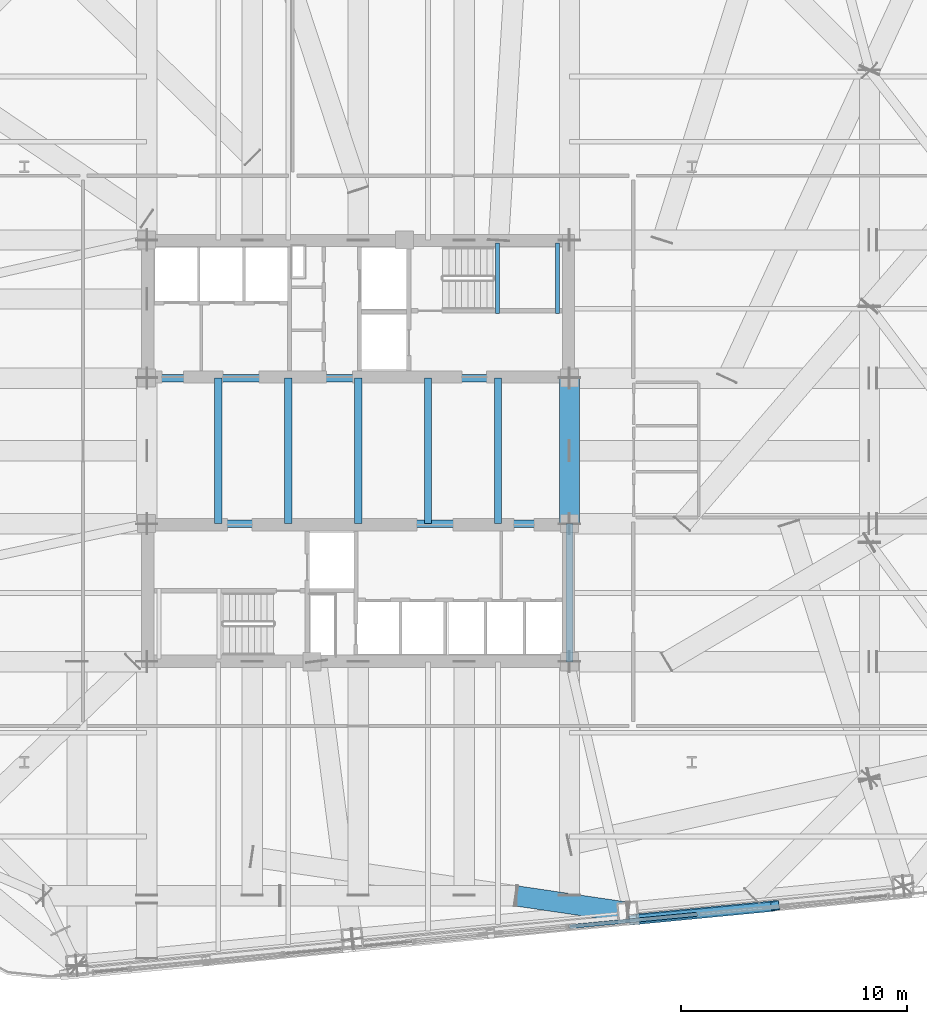
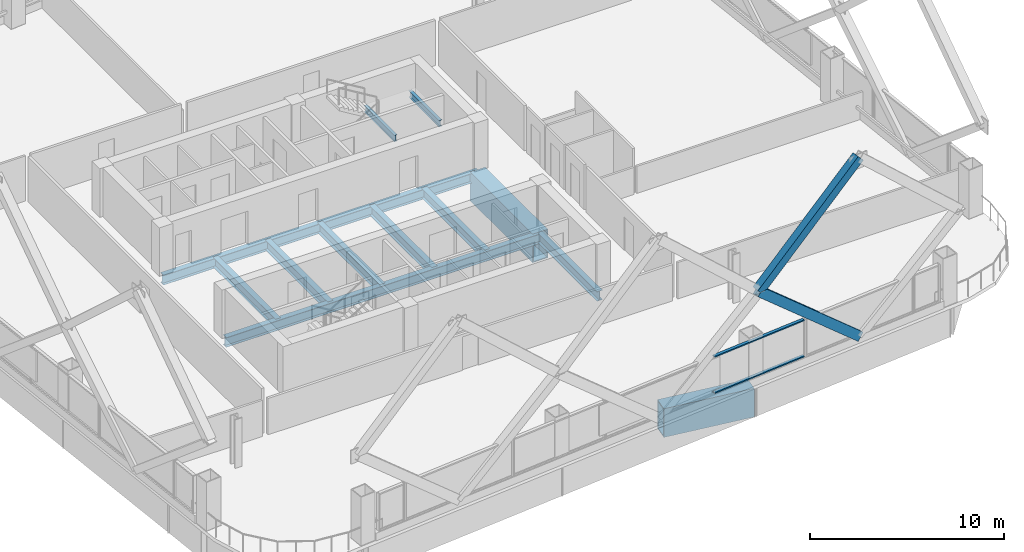
# One storey, part 15 of 42: 12 beams, 4 members, 1 element without a shape of its own.
"""IFC4 building model written with IfcOpenShell, lengths in metres."""

from ifc_helpers import new_model, si_unit, direction, frame, origin, origin_2d, place, context, subcontext, project, spatial, hollow_rectangle, i_section, extrude, material, layer, layer_set, material_profile, profile_set, type_object, element, aggregate, save


model = new_model("IFC4")

# Units and contexts
model_context = context("Model", 3, precision=1e-05, world=origin(), true_north=direction((0.0, 1.0)))
body_context = subcontext(model_context, "Body", "Model", "MODEL_VIEW")
ifc_project = project(units=[si_unit("LENGTHUNIT", "METRE"), si_unit("AREAUNIT", "SQUARE_METRE"), si_unit("VOLUMEUNIT", "CUBIC_METRE"), si_unit("PLANEANGLEUNIT", "RADIAN"), si_unit("MASSUNIT", "GRAM", prefix="KILO")], contexts=[model_context])

# Site, building, storey
site_placement = place(None, origin())
site = spatial("IfcSite", under=ifc_project, at=site_placement, CompositionType="ELEMENT")
building_placement = place(site_placement, origin())
building = spatial("IfcBuilding", under=site, at=building_placement, Name="Qhalaya Broadcast Tower", CompositionType="ELEMENT")
storey_placement = place(building_placement, frame((0.0, 0.0, 69.449951171875)))
storey = spatial("IfcBuildingStorey", under=building, at=storey_placement, Name="L19", CompositionType="ELEMENT", Elevation=69.449951171875)

# Beams
ifc_material_1 = material(Name="Structural Steel ASTM A572 Grade 50", Category="steel")
ifc_material_profile_1 = material_profile(ifc_material_1, hollow_rectangle(XDim=0.89990234375, YDim=1.800048828125, WallThickness=0.06005859375, at=origin_2d()), Name="BOX 900x1800x60")
ifc_profile_set_1 = profile_set([ifc_material_profile_1], Name="Structural Steel ASTM A572 Grade 50")
beam_type_1 = type_object("IfcBeamType", Name="Block Cantilever Transfer Box Girder TG1", PredefinedType="USERDEFINED", material=ifc_profile_set_1)
beam_1_placement = place(storey_placement, frame((9.375, -2.625, -1.119873046875), z_axis=(0.0, 1.0, 0.0), x_axis=(-1.0, 0.0, 0.0)))
element("IfcBeam", 1, at=beam_1_placement, inside=storey, type_object=beam_type_1, Name="L19 TG1 L19-TGIME-1", ObjectType="GIRDER", PredefinedType="USERDEFINED", context=body_context, shape_type="SweptSolid", body=[
    extrude(hollow_rectangle(XDim=0.89990234375, YDim=1.800048828125, WallThickness=0.06005859375, at=origin_2d()), origin(), (0.0, 0.0, 1.0), 6.449951171875),
])
beam_2_placement = place(storey_placement, frame((7.00341796875, -19.1298828125, -1.119873046875), z_axis=(0.989272228563, -0.146083735556, 0.0), x_axis=(0.146083735556, 0.989272228563, 0.0)))
element("IfcBeam", 2, at=beam_2_placement, inside=storey, type_object=beam_type_1, Name="L19 Cantilever Transfer Box Girder 03", ObjectType="GIRDER", PredefinedType="USERDEFINED", context=body_context, shape_type="SweptSolid", body=[
    extrude(hollow_rectangle(XDim=0.89990234375, YDim=1.800048828125, WallThickness=0.06005859375, at=origin_2d()), origin(), (0.0, 0.0, 1.0), 5.00537109375),
])
ifc_material_2 = material(Name="Structural Steel ASTM A992 Grade 50", Category="steel")
ifc_material_profile_2 = material_profile(ifc_material_2, i_section(OverallWidth=0.323974609375, OverallDepth=0.612060546875, WebThickness=0.0126953125, FlangeThickness=0.01904296875, at=origin_2d()), Name="W24X104")
ifc_profile_set_2 = profile_set([ifc_material_profile_2], Name="Structural Steel ASTM A992 Grade 50")
beam_type_2 = type_object("IfcBeamType", Name="Core Frame Tie Beam B04", PredefinedType="BEAM", material=ifc_profile_set_2)
for number, where, z_axis, x_axis, name in (
    (3, (-9.375, 3.824951171875, -0.52587890625), (1.0, 0.0, 0.0), (0.0, 1.0, 0.0), "L19 B04 L19-CCN1"),
    (4, (-9.375, -2.625, -0.52587890625), (1.0, 0.0, 0.0), (0.0, 1.0, 0.0), "L19 B04 L19-CCS1"),
):
    element("IfcBeam", number, at=place(storey_placement, frame(where, z_axis=z_axis, x_axis=x_axis)), inside=storey, type_object=beam_type_2, Name=name, PredefinedType="BEAM", context=body_context, shape_type="SweptSolid", body=[
        extrude(i_section(OverallWidth=0.323974609375, OverallDepth=0.612060546875, WebThickness=0.0126953125, FlangeThickness=0.01904296875, at=origin_2d()), origin(), (0.0, 0.0, 1.0), 18.75),
    ])
beam_3_placement = place(storey_placement, frame((9.375, -8.75, -0.52587890625), z_axis=(0.0, 1.0, 0.0), x_axis=(-1.0, 0.0, 0.0)))
element("IfcBeam", 5, at=beam_3_placement, inside=storey, type_object=beam_type_2, Name="L19 B04 L19-CCS2", PredefinedType="BEAM", context=body_context, shape_type="SweptSolid", body=[
    extrude(i_section(OverallWidth=0.323974609375, OverallDepth=0.612060546875, WebThickness=0.0126953125, FlangeThickness=0.01904296875, at=origin_2d()), origin(), (0.0, 0.0, 1.0), 6.125),
])
for number, where, z_axis, x_axis, name in (
    (6, (-6.199951171875, -2.625, -0.52587890625), (0.0, 1.0, 0.0), (-1.0, 0.0, 0.0), "L19 B04 L19-JC1-1"),
    (7, (-3.10009765625, -2.625, -0.52587890625), (0.0, 1.0, 0.0), (-1.0, 0.0, 0.0), "L19 B04 L19-JC2-1"),
    (8, (0.0, -2.625, -0.52587890625), (0.0, 1.0, 0.0), (-1.0, 0.0, 0.0), "L19 B04 L19-JC3-1"),
    (9, (3.10009765625, -2.625, -0.52587890625), (0.0, 1.0, 0.0), (-1.0, 0.0, 0.0), "L19 B04 L19-JC4-1"),
    (10, (6.199951171875, -2.625, -0.52587890625), (0.0, 1.0, 0.0), (-1.0, 0.0, 0.0), "L19 B04 L19-JC5-1"),
):
    element("IfcBeam", number, at=place(storey_placement, frame(where, z_axis=z_axis, x_axis=x_axis)), inside=storey, type_object=beam_type_2, Name=name, PredefinedType="BEAM", context=body_context, shape_type="SweptSolid", body=[
        extrude(i_section(OverallWidth=0.323974609375, OverallDepth=0.612060546875, WebThickness=0.0126953125, FlangeThickness=0.01904296875, at=origin_2d()), origin(), (0.0, 0.0, 1.0), 6.449951171875),
    ])

# Members
ifc_material_profile_3 = material_profile(ifc_material_1, hollow_rectangle(XDim=0.419921875, YDim=0.550048828125, WallThickness=0.028076171875, at=origin_2d()), Name="BOX 420x550x28")
ifc_profile_set_3 = profile_set([ifc_material_profile_3], Name="Structural Steel ASTM A572 Grade 50")
member_type_1 = type_object("IfcMemberType", Name="Exoskeleton Diamond Diagonal Mid-Low EX2", PredefinedType="BRACE", material=ifc_profile_set_3)
member_1_placement = place(storey_placement, frame((18.49072265625, -19.573486328125, 0.360107421875), z_axis=(-0.758637209183, -0.073037413912, 0.647406457345), x_axis=(0.157155783857, -0.98486851796, 0.073048353381)))
element("IfcMember", 11, at=member_1_placement, inside=storey, type_object=member_type_1, Name="B2 Exoskeleton Diamond Brace S3-D1", PredefinedType="BRACE", context=body_context, shape_type="SweptSolid", body=[
    extrude(hollow_rectangle(XDim=0.419921875, YDim=0.550048828125, WallThickness=0.028076171875, at=origin_2d()), origin(), (0.0, 0.0, 1.0), 8.309814453125),
])
member_2_placement = place(storey_placement, frame((12.1865234375, -20.180419921875, 5.739990234375), z_axis=(0.730619555004, 0.070340028415, 0.679151931638), x_axis=(-0.160184449091, 0.984576934745, 0.070350563873)))
element("IfcMember", 12, at=member_2_placement, inside=storey, type_object=member_type_1, Name="B2 Exoskeleton Diamond Brace S3-D3", PredefinedType="BRACE", context=body_context, shape_type="SweptSolid", body=[
    extrude(hollow_rectangle(XDim=0.419921875, YDim=0.550048828125, WallThickness=0.028076171875, at=origin_2d()), origin(), (0.0, 0.0, 1.0), 8.628662109375),
])

# Curtain wall, members
ifc_material_3 = material(Name="Solar-Control Low-E Triple Glazing", Category="glass")
ifc_layer = layer(ifc_material_3, 0.219970703125, Name="Solar-Control Low-E Triple Glazing")
ifc_layer_set = layer_set([ifc_layer], Name="Solar-Control Low-E Triple Glazing")
curtain_wall_type = type_object("IfcCurtainWallType", Name="Even-Block 4-Storey Double-Module Curtain Wall CW-03", PredefinedType="NOTDEFINED", material=ifc_layer_set)
curtain_wall_placement = place(storey_placement, origin())
curtain_wall = element("IfcCurtainWall", 13, at=curtain_wall_placement, inside=storey, type_object=curtain_wall_type, Name="L19 Unitised Curtain Wall L19-CW-S5", PredefinedType="NOTDEFINED")
ifc_material_4 = material(Name="Anodised Aluminium 6063-T6", Category="aluminium")
ifc_material_profile_4 = material_profile(ifc_material_4, hollow_rectangle(XDim=0.074951171875, YDim=0.179931640625, WallThickness=0.00390625, at=origin_2d()), Name="ALU-TRN 75x180x4")
ifc_profile_set_4 = profile_set([ifc_material_profile_4], Name="Anodised Aluminium 6063-T6")
member_type_2 = type_object("IfcMemberType", Name="Unitised Curtain-Wall Transom T01", PredefinedType="USERDEFINED", material=ifc_profile_set_4)
member_3_placement = place(storey_placement, frame((9.3671875, -20.4921875, 0.517578125), z_axis=(0.995396878598, 0.095838687792, 0.0), x_axis=(0.0, 0.0, 1.0)))
member_3 = element("IfcMember", 14, at=member_3_placement, type_object=member_type_2, Name="CW-03 transom 1.1", ObjectType="TRANSOM", PredefinedType="USERDEFINED", context=body_context, shape_type="SweptSolid", body=[
    extrude(hollow_rectangle(XDim=0.074951171875, YDim=0.179931640625, WallThickness=0.00390625, at=origin_2d()), origin(), (0.0, 0.0, 1.0), 5.673095703125),
])
member_4_placement = place(storey_placement, frame((9.3671875, -20.4921875, 2.79248046875), z_axis=(0.995396878598, 0.095838687792, 0.0), x_axis=(0.0, 0.0, 1.0)))
member_4 = element("IfcMember", 15, at=member_4_placement, type_object=member_type_2, Name="CW-03 transom 1.2", ObjectType="TRANSOM", PredefinedType="USERDEFINED", context=body_context, shape_type="SweptSolid", body=[
    extrude(hollow_rectangle(XDim=0.074951171875, YDim=0.179931640625, WallThickness=0.00390625, at=origin_2d()), origin(), (0.0, 0.0, 1.0), 5.673095703125),
])
aggregate(curtain_wall, [member_3, member_4])

# Beams
ifc_material_profile_5 = material_profile(ifc_material_2, i_section(OverallWidth=0.177978515625, OverallDepth=0.406005859375, WebThickness=0.0078125, FlangeThickness=0.0126953125, at=origin_2d()), Name="W16X40")
ifc_profile_set_5 = profile_set([ifc_material_profile_5], Name="Structural Steel ASTM A992 Grade 50")
beam_type_3 = type_object("IfcBeamType", Name="Upper Perimeter Spandrel Beam SP2", PredefinedType="SPANDREL", material=ifc_profile_set_5)
for number, where, z_axis, x_axis, name in (
    (16, (6.175048828125, 6.699951171875, 1.1220703125), (0.0, 1.0, 0.0), (-1.0, 0.0, 0.0), "L19 ST-1 Half-Landing Bearer Beam 1"),
    (17, (8.830078125, 6.699951171875, 1.1220703125), (0.0, 1.0, 0.0), (-1.0, 0.0, 0.0), "L19 ST-1 Half-Landing Bearer Beam 2"),
):
    element("IfcBeam", number, at=place(storey_placement, frame(where, z_axis=z_axis, x_axis=x_axis)), inside=storey, type_object=beam_type_3, Name=name, PredefinedType="SPANDREL", context=body_context, shape_type="SweptSolid", body=[
        extrude(i_section(OverallWidth=0.177978515625, OverallDepth=0.406005859375, WebThickness=0.0078125, FlangeThickness=0.0126953125, at=origin_2d()), origin(), (0.0, 0.0, 1.0), 3.1201171875),
    ])

save(model, "model.ifc")
